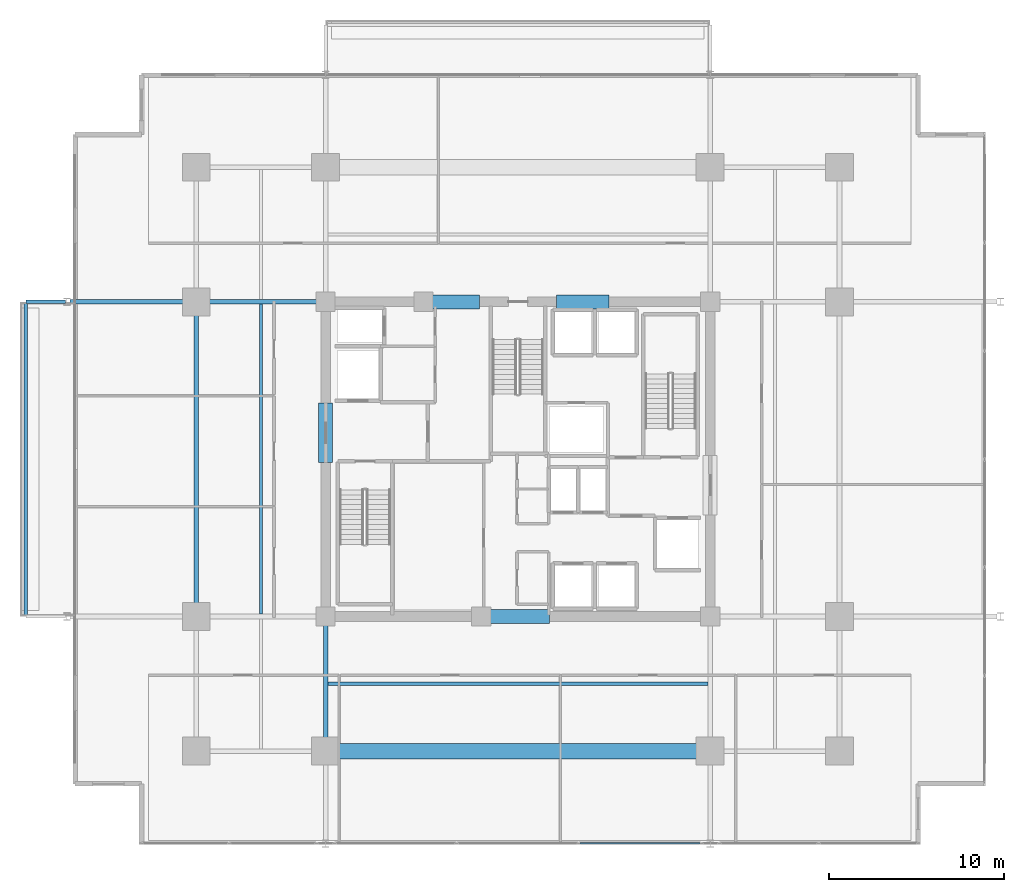
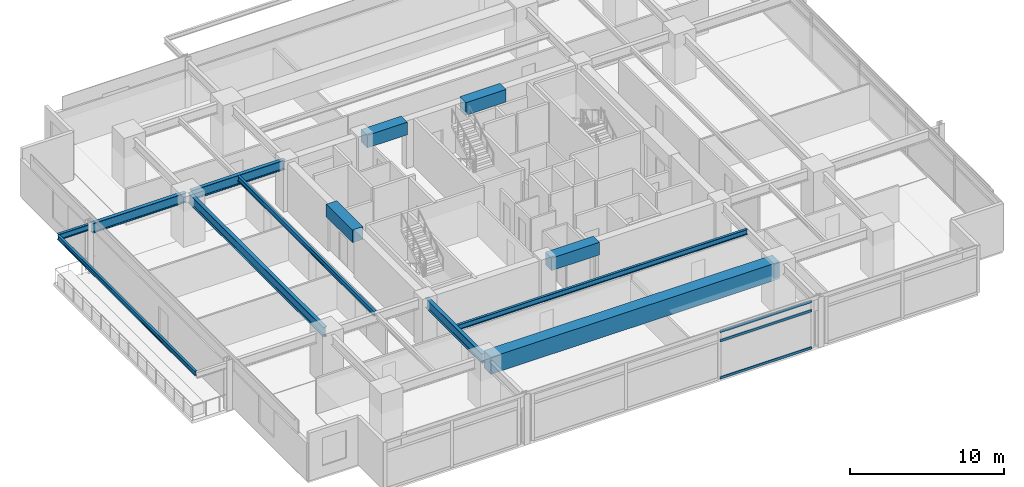
# One storey, part 5 of 20: 13 beams, 3 members, 1 element without a shape of its own.
"""IFC4 building model written with IfcOpenShell, lengths in metres."""

from ifc_helpers import new_model, si_unit, direction, frame, origin, origin_2d, place, context, subcontext, project, spatial, rectangle, hollow_rectangle, i_section, extrude, material, material_profile, profile_set, type_object, element, aggregate, save


model = new_model("IFC4")

# Units and contexts
model_context = context("Model", 3, precision=1e-05, world=origin(), true_north=direction((0.0, 1.0)))
body_context = subcontext(model_context, "Body", "Model", "MODEL_VIEW")
ifc_project = project(units=[si_unit("LENGTHUNIT", "METRE"), si_unit("AREAUNIT", "SQUARE_METRE"), si_unit("VOLUMEUNIT", "CUBIC_METRE"), si_unit("PLANEANGLEUNIT", "RADIAN"), si_unit("MASSUNIT", "GRAM", prefix="KILO")], contexts=[model_context])

# Site, building, storey
site_placement = place(None, origin())
site = spatial("IfcSite", under=ifc_project, at=site_placement, CompositionType="ELEMENT")
building_placement = place(site_placement, origin())
building = spatial("IfcBuilding", under=site, at=building_placement, Name="Kovane Verandah Tower", CompositionType="ELEMENT")
storey_placement = place(building_placement, frame((0.0, 0.0, 164.39990234375)))
storey = spatial("IfcBuildingStorey", under=building, at=storey_placement, Name="L38", CompositionType="ELEMENT", Elevation=164.39990234375)

# Beams
ifc_material_1 = material(Name="Concrete C60/75", Category="concrete")
ifc_material_profile_1 = material_profile(ifc_material_1, rectangle(XDim=0.800048828125, YDim=1.0, at=origin_2d()), Name="RCB800x1000")
ifc_profile_set_1 = profile_set([ifc_material_profile_1], Name="Concrete C60/75")
beam_type_1 = type_object("IfcBeamType", Name="BM-LINTEL-800x1000", PredefinedType="LINTEL", material=ifc_profile_set_1)
beam_1_placement = place(storey_placement, frame((38.199951171875, 18.5, 3.275146484375), z_axis=(1.0, 0.0, 0.0), x_axis=(0.0, 1.0, 0.0)))
element("IfcBeam", 1, at=beam_1_placement, inside=storey, type_object=beam_type_1, Name="L38 Core Coupling Lintel CL-S", PredefinedType="LINTEL", context=body_context, shape_type="SweptSolid", body=[
    extrude(rectangle(XDim=0.800048828125, YDim=1.0, at=origin_2d()), origin(), (0.0, 0.0, 1.0), 3.60009765625),
])
for number, where, z_axis, x_axis, name in (
    (2, (34.800048828125, 36.5, 3.275146484375), (1.0, 0.0, 0.0), (0.0, 1.0, 0.0), "L38 Core Coupling Lintel CL-N1"),
    (3, (42.199951171875, 36.5, 3.275146484375), (1.0, 0.0, 0.0), (0.0, 1.0, 0.0), "L38 Core Coupling Lintel CL-N2"),
):
    element("IfcBeam", number, at=place(storey_placement, frame(where, z_axis=z_axis, x_axis=x_axis)), inside=storey, type_object=beam_type_1, Name=name, PredefinedType="LINTEL", context=body_context, shape_type="SweptSolid", body=[
        extrude(rectangle(XDim=0.800048828125, YDim=1.0, at=origin_2d()), origin(), (0.0, 0.0, 1.0), 3.0),
    ])
beam_2_placement = place(storey_placement, frame((29.0, 27.300048828125, 3.275146484375), z_axis=(0.0, 1.0, 0.0), x_axis=(-1.0, 0.0, 0.0)))
element("IfcBeam", 4, at=beam_2_placement, inside=storey, type_object=beam_type_1, Name="L38 Core Coupling Lintel CL-W", PredefinedType="LINTEL", context=body_context, shape_type="SweptSolid", body=[
    extrude(rectangle(XDim=0.800048828125, YDim=1.0, at=origin_2d()), origin(), (0.0, 0.0, 1.0), 3.39990234375),
])
ifc_material_2 = material(Name="Concrete C80/95", Category="concrete")
ifc_material_profile_2 = material_profile(ifc_material_2, rectangle(XDim=0.89990234375, YDim=1.35009765625, at=origin_2d()), Name="RCB900x1350")
ifc_profile_set_2 = profile_set([ifc_material_profile_2], Name="Concrete C80/95")
beam_type_2 = type_object("IfcBeamType", Name="BM-TR-900x1350", PredefinedType="BEAM", material=ifc_profile_set_2)
beam_3_placement = place(storey_placement, frame((29.179931640625, 10.800048828125, 3.10009765625), z_axis=(1.0, 0.0, 0.0), x_axis=(0.0, 1.0, 0.0)))
element("IfcBeam", 5, at=beam_3_placement, inside=storey, type_object=beam_type_2, Name="L38 Primary Tower Girder G-RS2", PredefinedType="BEAM", context=body_context, shape_type="SweptSolid", body=[
    extrude(rectangle(XDim=0.89990234375, YDim=1.35009765625, at=origin_2d()), origin(), (0.0, 0.0, 1.0), 21.64013671875),
])
ifc_material_3 = material(Name="Steel S355", Category="steel")
ifc_material_profile_3 = material_profile(ifc_material_3, i_section(OverallWidth=0.26806640625, OverallDepth=0.769775390625, WebThickness=0.015625, FlangeThickness=0.025390625, FilletRadius=0.0166015625, at=origin_2d()), Name="UB762x267x197")
ifc_profile_set_3 = profile_set([ifc_material_profile_3], Name="Steel S355")
beam_type_3 = type_object("IfcBeamType", Name="BM-UB762x197", PredefinedType="BEAM", material=ifc_profile_set_3)
beam_4_placement = place(storey_placement, frame((21.60009765625, 18.679931640625, 3.39013671875), z_axis=(0.0, 1.0, 0.0), x_axis=(-1.0, 0.0, 0.0)))
element("IfcBeam", 6, at=beam_4_placement, inside=storey, type_object=beam_type_3, Name="L38 Primary Tower Girder G-RW2", PredefinedType="BEAM", context=body_context, shape_type="SweptSolid", body=[
    extrude(i_section(OverallWidth=0.26806640625, OverallDepth=0.769775390625, WebThickness=0.015625, FlangeThickness=0.025390625, FilletRadius=0.0166015625, at=origin_2d()), origin(), (0.0, 0.0, 1.0), 17.64013671875),
])
beam_5_placement = place(storey_placement, frame((28.820068359375, 36.5, 3.39013671875), z_axis=(-1.0, 0.0, 0.0), x_axis=(0.0, -1.0, 0.0)))
element("IfcBeam", 7, at=beam_5_placement, inside=storey, type_object=beam_type_3, Name="L38 Primary Tower Girder G-W2", PredefinedType="BEAM", context=body_context, shape_type="SweptSolid", body=[
    extrude(i_section(OverallWidth=0.26806640625, OverallDepth=0.769775390625, WebThickness=0.015625, FlangeThickness=0.025390625, FilletRadius=0.0166015625, at=origin_2d()), origin(), (0.0, 0.0, 1.0), 7.0400390625),
])
beam_6_placement = place(storey_placement, frame((29.0, 18.320068359375, 3.39013671875), z_axis=(0.0, -1.0, 0.0), x_axis=(1.0, 0.0, 0.0)))
element("IfcBeam", 8, at=beam_6_placement, inside=storey, type_object=beam_type_3, Name="L38 Primary Tower Girder G-S1", PredefinedType="BEAM", context=body_context, shape_type="SweptSolid", body=[
    extrude(i_section(OverallWidth=0.26806640625, OverallDepth=0.769775390625, WebThickness=0.015625, FlangeThickness=0.025390625, FilletRadius=0.0166015625, at=origin_2d()), origin(), (0.0, 0.0, 1.0), 7.340087890625),
])
beam_7_placement = place(storey_placement, frame((21.419921875, 36.5, 3.375244140625), z_axis=(-1.0, 0.0, 0.0), x_axis=(0.0, -1.0, 0.0)))
element("IfcBeam", 9, at=beam_7_placement, inside=storey, type_object=beam_type_3, Name="L38 Primary Tower Girder G-VW2", PredefinedType="BEAM", context=body_context, shape_type="SweptSolid", body=[
    extrude(i_section(OverallWidth=0.26806640625, OverallDepth=0.769775390625, WebThickness=0.015625, FlangeThickness=0.025390625, FilletRadius=0.0166015625, at=origin_2d()), origin(), (0.0, 0.0, 1.0), 7.0400390625),
])

# Curtain wall, members
ifc_material_4 = material(Name="Champagne Anodised Aluminium Frame with Low-E Clear Laminated Glass", Category="aluminium")
curtain_wall_type = type_object("IfcCurtainWallType", Name="CW-SYS-03-MID", PredefinedType="NOTDEFINED", material=ifc_material_4)
curtain_wall_placement = place(storey_placement, origin())
curtain_wall = element("IfcCurtainWall", 10, at=curtain_wall_placement, inside=storey, type_object=curtain_wall_type, Name="L38 S Unitised Curtain Wall-2", PredefinedType="NOTDEFINED")
ifc_material_5 = material(Name="Champagne Anodised Aluminium 6063-T6", Category="aluminium")
ifc_material_profile_4 = material_profile(ifc_material_5, hollow_rectangle(XDim=0.0849609375, YDim=0.18994140625, WallThickness=0.00390625, at=origin_2d()), Name="AL85x190x4")
ifc_profile_set_4 = profile_set([ifc_material_profile_4], Name="Champagne Anodised Aluminium 6063-T6")
member_type = type_object("IfcMemberType", Name="CW-TRN-85x190", PredefinedType="USERDEFINED", material=ifc_profile_set_4)
member_1_placement = place(storey_placement, frame((43.543212890625, 5.52685546875, 0.050048828125), z_axis=(1.0, 0.0, 0.0), x_axis=(0.0, 1.0, 0.0)))
member_1 = element("IfcMember", 11, at=member_1_placement, type_object=member_type, Name="L38 S Unitised Curtain Wall-2 Transom TB Bay 3", ObjectType="TRANSOM", PredefinedType="USERDEFINED", context=body_context, shape_type="SweptSolid", body=[
    extrude(hollow_rectangle(XDim=0.0849609375, YDim=0.18994140625, WallThickness=0.00390625, at=origin_2d()), origin(), (0.0, 0.0, 1.0), 6.88671875),
])
member_2_placement = place(storey_placement, frame((43.543212890625, 5.52685546875, 2.9951171875), z_axis=(1.0, 0.0, 0.0), x_axis=(0.0, 1.0, 0.0)))
member_2 = element("IfcMember", 12, at=member_2_placement, type_object=member_type, Name="L38 S Unitised Curtain Wall-2 Transom TM Bay 3", ObjectType="TRANSOM", PredefinedType="USERDEFINED", context=body_context, shape_type="SweptSolid", body=[
    extrude(hollow_rectangle(XDim=0.0849609375, YDim=0.18994140625, WallThickness=0.00390625, at=origin_2d()), origin(), (0.0, 0.0, 1.0), 6.88671875),
])
member_3_placement = place(storey_placement, frame((43.543212890625, 5.52685546875, 3.72509765625), z_axis=(1.0, 0.0, 0.0), x_axis=(0.0, 1.0, 0.0)))
member_3 = element("IfcMember", 13, at=member_3_placement, type_object=member_type, Name="L38 S Unitised Curtain Wall-2 Transom TT Bay 3", ObjectType="TRANSOM", PredefinedType="USERDEFINED", context=body_context, shape_type="SweptSolid", body=[
    extrude(hollow_rectangle(XDim=0.0849609375, YDim=0.18994140625, WallThickness=0.00390625, at=origin_2d()), origin(), (0.0, 0.0, 1.0), 6.88671875),
])
aggregate(curtain_wall, [member_1, member_2, member_3])

# Beams
ifc_material_profile_5 = material_profile(ifc_material_3, i_section(OverallWidth=0.179443359375, OverallDepth=0.412841796875, WebThickness=0.009521484375, FlangeThickness=0.01611328125, FilletRadius=0.01025390625, at=origin_2d()), Name="UB406x178x74")
ifc_profile_set_5 = profile_set([ifc_material_profile_5], Name="Steel S355")
beam_type_4 = type_object("IfcBeamType", Name="JST-UB406x74", PredefinedType="JOIST", material=ifc_profile_set_5)
beam_8_placement = place(storey_placement, frame((29.132080078125, 14.64990234375, 3.568603515625), z_axis=(1.0, 0.0, 0.0), x_axis=(0.0, 1.0, 0.0)))
element("IfcBeam", 14, at=beam_8_placement, inside=storey, type_object=beam_type_4, Name="L38 Secondary Composite Joist J-S1", PredefinedType="JOIST", context=body_context, shape_type="SweptSolid", body=[
    extrude(i_section(OverallWidth=0.179443359375, OverallDepth=0.412841796875, WebThickness=0.009521484375, FlangeThickness=0.01611328125, FilletRadius=0.01025390625, at=origin_2d()), origin(), (0.0, 0.0, 1.0), 21.73583984375),
])
beam_9_placement = place(storey_placement, frame((25.300048828125, 18.632080078125, 3.568603515625), z_axis=(0.0, 1.0, 0.0), x_axis=(-1.0, 0.0, 0.0)))
element("IfcBeam", 15, at=beam_9_placement, inside=storey, type_object=beam_type_4, Name="L38 Secondary Composite Joist J-W1", PredefinedType="JOIST", context=body_context, shape_type="SweptSolid", body=[
    extrude(i_section(OverallWidth=0.179443359375, OverallDepth=0.412841796875, WebThickness=0.009521484375, FlangeThickness=0.01611328125, FilletRadius=0.01025390625, at=origin_2d()), origin(), (0.0, 0.0, 1.0), 17.73583984375),
])
ifc_material_profile_6 = material_profile(ifc_material_3, i_section(OverallWidth=0.19287109375, OverallDepth=0.46728515625, WebThickness=0.011474609375, FlangeThickness=0.01953125, FilletRadius=0.01025390625, at=origin_2d()), Name="UB457x191x98")
ifc_profile_set_6 = profile_set([ifc_material_profile_6], Name="Steel S355")
beam_type_5 = type_object("IfcBeamType", Name="JST-UB457x98", PredefinedType="JOIST", material=ifc_profile_set_6)
beam_10_placement = place(storey_placement, frame((14.1201171875, 36.5, 3.526611328125), z_axis=(-1.0, 0.0, 0.0), x_axis=(0.0, -1.0, 0.0)))
element("IfcBeam", 16, at=beam_10_placement, inside=storey, type_object=beam_type_5, Name="L38 West Planter Girder 2", PredefinedType="JOIST", context=body_context, shape_type="SweptSolid", body=[
    extrude(i_section(OverallWidth=0.19287109375, OverallDepth=0.46728515625, WebThickness=0.011474609375, FlangeThickness=0.01953125, FilletRadius=0.01025390625, at=origin_2d()), origin(), (0.0, 0.0, 1.0), 2.2734375),
])
ifc_material_profile_7 = material_profile(ifc_material_3, i_section(OverallWidth=0.173095703125, OverallDepth=0.36328125, WebThickness=0.009033203125, FlangeThickness=0.015625, FilletRadius=0.01025390625, at=origin_2d()), Name="UB356x171x67")
ifc_profile_set_7 = profile_set([ifc_material_profile_7], Name="Steel S355")
beam_type_6 = type_object("IfcBeamType", Name="SPD-UB356x67", PredefinedType="USERDEFINED", material=ifc_profile_set_7)
beam_11_placement = place(storey_placement, frame((11.8466796875, 18.594482421875, 3.578369140625), z_axis=(0.0, 1.0, 0.0), x_axis=(-1.0, 0.0, 0.0)))
element("IfcBeam", 17, at=beam_11_placement, inside=storey, type_object=beam_type_6, Name="L38 West Planter Edge Spandrel", ObjectType="SPANDREL", PredefinedType="USERDEFINED", context=body_context, shape_type="SweptSolid", body=[
    extrude(i_section(OverallWidth=0.173095703125, OverallDepth=0.36328125, WebThickness=0.009033203125, FlangeThickness=0.015625, FilletRadius=0.01025390625, at=origin_2d()), origin(), (0.0, 0.0, 1.0), 17.81103515625),
])

save(model, "model.ifc")
